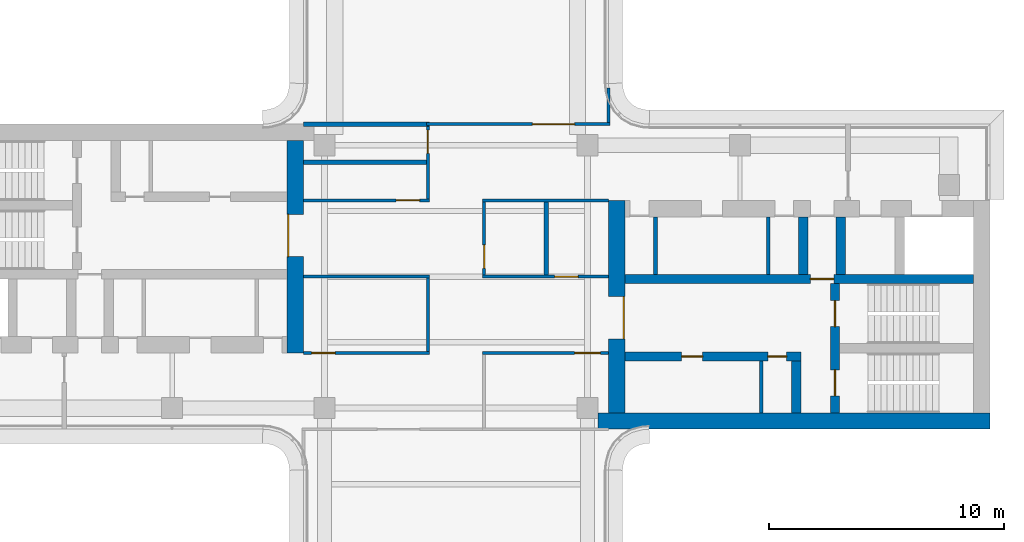
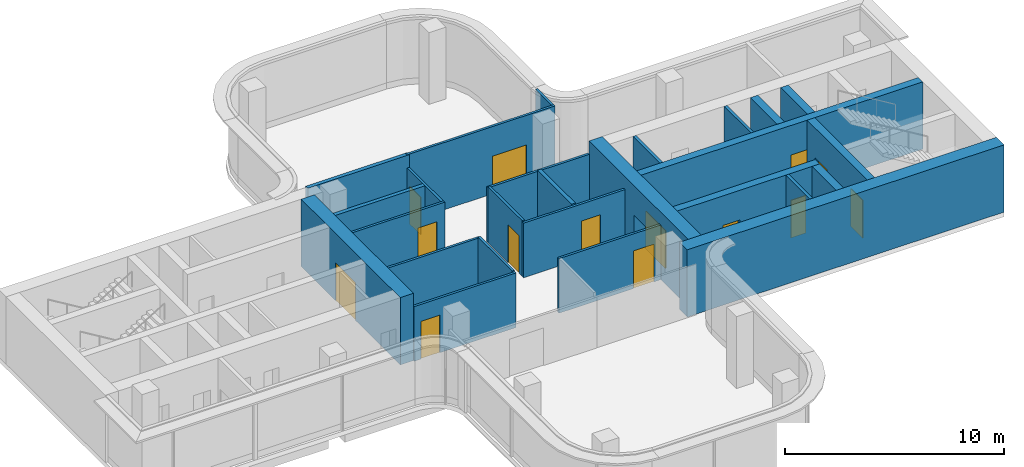
# One storey, part 9 of 11: 26 walls, 14 doors, 14 openings.
"""IFC4 building model written with IfcOpenShell, lengths in metres."""

from ifc_helpers import new_model, si_unit, direction, frame, frame_2d, origin, place, context, subcontext, project, spatial, rectangle, extrude, source, transform, mapped, material, layer, layer_set, type_object, element, fill, save


model = new_model("IFC4")

# Units and contexts
model_context = context("Model", 3, precision=1e-05, world=origin(), true_north=direction((0.0, 1.0)))
body_context = subcontext(model_context, "Body", "Model", "MODEL_VIEW")
ifc_project = project(units=[si_unit("LENGTHUNIT", "METRE"), si_unit("AREAUNIT", "SQUARE_METRE"), si_unit("VOLUMEUNIT", "CUBIC_METRE"), si_unit("PLANEANGLEUNIT", "RADIAN"), si_unit("MASSUNIT", "GRAM", prefix="KILO")], contexts=[model_context])

# Site, building, storey
site_placement = place(None, origin())
site = spatial("IfcSite", under=ifc_project, at=site_placement, CompositionType="ELEMENT")
building_placement = place(site_placement, origin())
building = spatial("IfcBuilding", under=site, at=building_placement, Name="Trellis Farm Tower", CompositionType="ELEMENT")
storey_placement = place(building_placement, frame((0.0, 0.0, 342.10009765625)))
storey = spatial("IfcBuildingStorey", under=building, at=storey_placement, Name="L77", CompositionType="ELEMENT", Elevation=342.10009765625)

# Wall, opening, door
ifc_material_1 = material(Name="Concrete C50/60", Category="concrete")
ifc_layer_1 = layer(ifc_material_1, 0.699951171875)
ifc_layer_set_1 = layer_set([ifc_layer_1], Name="CORE OUTER WALL 700 CONCRETE C50/60")
wall_type_1 = type_object("IfcWallType", Name="CORE OUTER WALL 700 CONCRETE C50/60", PredefinedType="SHEAR", material=ifc_layer_set_1)
shared_shape_1 = source(origin(), body_context, "Body", "SweptSolid", [
    extrude(rectangle(XDim=9.050048828125, YDim=0.699951171875, at=frame_2d((4.52490234375, 0.0))), origin(), (0.0, 0.0, 1.0), 3.75),
])
wall_1_placement = place(storey_placement, frame((6.85009765625, -5.800048828125, 0.0), z_axis=(0.0, 0.0, 1.0), x_axis=(0.0, 1.0, 0.0)))
wall_1 = element("IfcWall", 1, at=wall_1_placement, inside=storey, type_object=wall_type_1, Name="Core wall", PredefinedType="SHEAR", context=body_context, shape_type="MappedRepresentation", body=[
    mapped(shared_shape_1, transform((0.0, 0.0, 0.0))),
])
shared_shape_2 = source(origin(), body_context, "Body", "SweptSolid", [
    extrude(rectangle(XDim=1.800048828125, YDim=2.10009765625, at=frame_2d((0.89990234375, 1.050048828125))), frame((0.0, 0.360107421875, 0.0), z_axis=(0.0, -1.0, 0.0), x_axis=(1.0, 0.0, 0.0)), (0.0, 0.0, 1.0), 0.72021484375),
])
opening_1_placement = place(wall_1_placement, frame((3.14990234375, 0.0, 0.0)))
opening_1 = element("IfcOpeningElement", 2, at=opening_1_placement, cuts=wall_1, Name="Opening DC1", PredefinedType="OPENING", context=body_context, shape_type="MappedRepresentation", body=[
    mapped(shared_shape_2, transform((0.0, 0.0, 0.0))),
])
ifc_material_2 = material(Name="Steel", Category="steel")
door_type_1 = type_object("IfcDoorType", Name="CORE FIRE DOOR DOUBLE 1800 X 2100", OperationType="DOUBLE_DOOR_SINGLE_SWING", PredefinedType="DOOR", material=ifc_material_2)
shared_shape_3 = source(origin(), body_context, "Body", "SweptSolid", [
    extrude(rectangle(XDim=1.800048828125, YDim=2.10009765625, at=frame_2d((0.89990234375, 1.050048828125))), frame((0.0, -0.27490234375, 0.0), z_axis=(0.0, -1.0, 0.0), x_axis=(1.0, 0.0, 0.0)), (0.0, 0.0, 1.0), 0.050048828125),
])
door_1_placement = place(opening_1_placement, origin())
door_1 = element("IfcDoor", 3, at=door_1_placement, inside=storey, type_object=door_type_1, Name="Core door", OperationType="DOUBLE_DOOR_SINGLE_SWING", OverallHeight=2.10009765625, OverallWidth=1.800048828125, PredefinedType="DOOR", context=body_context, shape_type="MappedRepresentation", body=[
    mapped(shared_shape_3, transform((0.0, 0.0, 0.0))),
])
fill(opening_1, door_1)

wall_2_placement = place(storey_placement, frame((-6.85009765625, 5.800048828125, 0.0), z_axis=(0.0, 0.0, 1.0), x_axis=(0.0, -1.0, 0.0)))
wall_2 = element("IfcWall", 4, at=wall_2_placement, inside=storey, type_object=wall_type_1, Name="Core wall", PredefinedType="SHEAR", context=body_context, shape_type="MappedRepresentation", body=[
    mapped(shared_shape_1, transform((0.0, 0.0, 0.0))),
])
opening_2_placement = place(wall_2_placement, frame((3.14990234375, 0.0, 0.0)))
opening_2 = element("IfcOpeningElement", 5, at=opening_2_placement, cuts=wall_2, Name="Opening DC87", PredefinedType="OPENING", context=body_context, shape_type="MappedRepresentation", body=[
    mapped(shared_shape_2, transform((0.0, 0.0, 0.0))),
])
door_2_placement = place(opening_2_placement, origin())
door_2 = element("IfcDoor", 6, at=door_2_placement, inside=storey, type_object=door_type_1, Name="Core door", OperationType="DOUBLE_DOOR_SINGLE_SWING", OverallHeight=2.10009765625, OverallWidth=1.800048828125, PredefinedType="DOOR", context=body_context, shape_type="MappedRepresentation", body=[
    mapped(shared_shape_3, transform((0.0, 0.0, 0.0))),
])
fill(opening_2, door_2)

# Walls
ifc_layer_2 = layer(ifc_material_1, 0.39990234375)
ifc_layer_set_2 = layer_set([ifc_layer_2], Name="CORE INNER WALL 400 CONCRETE C50/60")
wall_type_2 = type_object("IfcWallType", Name="CORE INNER WALL 400 CONCRETE C50/60", PredefinedType="SHEAR", material=ifc_layer_set_2)
shared_shape_4 = source(origin(), body_context, "Body", "SweptSolid", [
    extrude(rectangle(XDim=2.449951171875, YDim=0.39990234375, at=frame_2d((1.22509765625, 0.0))), origin(), (0.0, 0.0, 1.0), 3.75),
])
for number, where, z_axis, x_axis, name in (
    (7, (14.800048828125, 0.10009765625, 0.0), (0.0, 0.0, 1.0), (0.0, 1.0, 0.0), "Core wall"),
    (8, (16.39990234375, 0.10009765625, 0.0), (0.0, 0.0, 1.0), (0.0, 1.0, 0.0), "Core wall"),
):
    element("IfcWall", number, at=place(storey_placement, frame(where, z_axis=z_axis, x_axis=x_axis)), inside=storey, type_object=wall_type_2, Name=name, PredefinedType="SHEAR", context=body_context, shape_type="MappedRepresentation", body=[
        mapped(shared_shape_4, transform((0.0, 0.0, 0.0))),
    ])
ifc_material_3 = material(Name="Masonry blockwork", Category="masonry")
ifc_layer_3 = layer(ifc_material_3, 0.14990234375)
ifc_layer_set_3 = layer_set([ifc_layer_3], Name="CORE PARTITION 150 BLOCKWORK")
wall_type_3 = type_object("IfcWallType", Name="CORE PARTITION 150 BLOCKWORK", PredefinedType="PARTITIONING", material=ifc_layer_set_3)
shared_shape_5 = source(origin(), body_context, "Body", "SweptSolid", [
    extrude(rectangle(XDim=2.449951171875, YDim=0.14990234375, at=frame_2d((1.22509765625, 0.0))), origin(), (0.0, 0.0, 1.0), 3.75),
])
for number, where, z_axis, x_axis, name in (
    (9, (8.5, 0.10009765625, 0.0), (0.0, 0.0, 1.0), (0.0, 1.0, 0.0), "Core room partition"),
    (10, (13.300048828125, 0.10009765625, 0.0), (0.0, 0.0, 1.0), (0.0, 1.0, 0.0), "Core room partition"),
):
    element("IfcWall", number, at=place(storey_placement, frame(where, z_axis=z_axis, x_axis=x_axis)), inside=storey, type_object=wall_type_3, Name=name, PredefinedType="PARTITIONING", context=body_context, shape_type="MappedRepresentation", body=[
        mapped(shared_shape_5, transform((0.0, 0.0, 0.0))),
    ])
shared_shape_6 = source(origin(), body_context, "Body", "SweptSolid", [
    extrude(rectangle(XDim=16.699951171875, YDim=0.699951171875, at=frame_2d((8.35009765625, 0.0))), origin(), (0.0, 0.0, 1.0), 3.75),
])
wall_3_placement = place(storey_placement, frame((6.050048828125, -6.14990234375, 0.0), z_axis=(0.0, 0.0, 1.0), x_axis=(1.0, 0.0, 0.0)))
element("IfcWall", 11, at=wall_3_placement, inside=storey, type_object=wall_type_1, Name="Core wall", PredefinedType="SHEAR", context=body_context, shape_type="MappedRepresentation", body=[
    mapped(shared_shape_6, transform((0.0, 0.0, 0.0))),
])

# Wall, openings, doors
shared_shape_7 = source(origin(), body_context, "Body", "SweptSolid", [
    extrude(rectangle(XDim=7.5, YDim=0.39990234375, at=frame_2d((3.75, 0.0))), origin(), (0.0, 0.0, 1.0), 3.75),
])
wall_4_placement = place(storey_placement, frame((7.199951171875, -3.39990234375, 0.0), z_axis=(0.0, 0.0, 1.0), x_axis=(1.0, 0.0, 0.0)))
wall_4 = element("IfcWall", 12, at=wall_4_placement, inside=storey, type_object=wall_type_2, Name="Core wall", PredefinedType="SHEAR", context=body_context, shape_type="MappedRepresentation", body=[
    mapped(shared_shape_7, transform((0.0, 0.0, 0.0))),
])
shared_shape_8 = source(origin(), body_context, "Body", "SweptSolid", [
    extrude(rectangle(XDim=0.89990234375, YDim=2.10009765625, at=frame_2d((0.449951171875, 1.050048828125))), frame((0.0, 0.2099609375, 0.0), z_axis=(0.0, -1.0, 0.0), x_axis=(1.0, 0.0, 0.0)), (0.0, 0.0, 1.0), 0.419921875),
])
opening_3_placement = place(wall_4_placement, frame((2.41259765625, 0.0, 0.0)))
opening_3 = element("IfcOpeningElement", 13, at=opening_3_placement, cuts=wall_4, Name="Opening DC53", PredefinedType="OPENING", context=body_context, shape_type="MappedRepresentation", body=[
    mapped(shared_shape_8, transform((0.0, 0.0, 0.0))),
])
shared_shape_9 = source(origin(), body_context, "Body", "SweptSolid", [
    extrude(rectangle(XDim=0.800048828125, YDim=2.10009765625, at=frame_2d((0.39990234375, 1.050048828125))), frame((0.0, 0.2099609375, 0.0), z_axis=(0.0, -1.0, 0.0), x_axis=(1.0, 0.0, 0.0)), (0.0, 0.0, 1.0), 0.419921875),
])
opening_4_placement = place(wall_4_placement, frame((6.08740234375, 0.0, 0.0)))
opening_4 = element("IfcOpeningElement", 14, at=opening_4_placement, cuts=wall_4, Name="Opening DC58", PredefinedType="OPENING", context=body_context, shape_type="MappedRepresentation", body=[
    mapped(shared_shape_9, transform((0.0, 0.0, 0.0))),
])
door_type_2 = type_object("IfcDoorType", Name="CORE FIRE DOOR 900 X 2100", OperationType="NOTDEFINED", PredefinedType="DOOR", material=ifc_material_2)
shared_shape_10 = source(origin(), body_context, "Body", "SweptSolid", [
    extrude(rectangle(XDim=0.89990234375, YDim=2.10009765625, at=frame_2d((0.449951171875, 1.050048828125))), frame((0.0, 0.02490234375, 0.0), z_axis=(0.0, -1.0, 0.0), x_axis=(1.0, 0.0, 0.0)), (0.0, 0.0, 1.0), 0.050048828125),
])
door_3_placement = place(opening_3_placement, origin())
door_3 = element("IfcDoor", 15, at=door_3_placement, inside=storey, type_object=door_type_2, Name="Core door", OperationType="SINGLE_SWING_LEFT", OverallHeight=2.10009765625, OverallWidth=0.89990234375, PredefinedType="DOOR", context=body_context, shape_type="MappedRepresentation", body=[
    mapped(shared_shape_10, transform((0.0, 0.0, 0.0))),
])
fill(opening_3, door_3)
door_type_3 = type_object("IfcDoorType", Name="CORE FIRE DOOR 800 X 2100", OperationType="NOTDEFINED", PredefinedType="DOOR", material=ifc_material_2)
shared_shape_11 = source(origin(), body_context, "Body", "SweptSolid", [
    extrude(rectangle(XDim=0.800048828125, YDim=2.10009765625, at=frame_2d((0.39990234375, 1.050048828125))), frame((0.0, 0.02490234375, 0.0), z_axis=(0.0, -1.0, 0.0), x_axis=(1.0, 0.0, 0.0)), (0.0, 0.0, 1.0), 0.050048828125),
])
door_4_placement = place(opening_4_placement, origin())
door_4 = element("IfcDoor", 16, at=door_4_placement, inside=storey, type_object=door_type_3, Name="Core door", OperationType="SINGLE_SWING_RIGHT", OverallHeight=2.10009765625, OverallWidth=0.800048828125, PredefinedType="DOOR", context=body_context, shape_type="MappedRepresentation", body=[
    mapped(shared_shape_11, transform((0.0, 0.0, 0.0))),
])
fill(opening_4, door_4)

# Wall, opening, door
shared_shape_12 = source(origin(), body_context, "Body", "SweptSolid", [
    extrude(rectangle(XDim=14.85009765625, YDim=0.39990234375, at=frame_2d((7.425048828125, 0.0))), origin(), (0.0, 0.0, 1.0), 3.75),
])
wall_5_placement = place(storey_placement, frame((7.199951171875, -0.10009765625, 0.0), z_axis=(0.0, 0.0, 1.0), x_axis=(1.0, 0.0, 0.0)))
wall_5 = element("IfcWall", 17, at=wall_5_placement, inside=storey, type_object=wall_type_2, Name="Core wall", PredefinedType="SHEAR", context=body_context, shape_type="MappedRepresentation", body=[
    mapped(shared_shape_12, transform((0.0, 0.0, 0.0))),
])
shared_shape_13 = source(origin(), body_context, "Body", "SweptSolid", [
    extrude(rectangle(XDim=1.0, YDim=2.10009765625, at=frame_2d((0.5, 1.050048828125))), frame((0.0, 0.2099609375, 0.0), z_axis=(0.0, -1.0, 0.0), x_axis=(1.0, 0.0, 0.0)), (0.0, 0.0, 1.0), 0.419921875),
])
opening_5_placement = place(wall_5_placement, frame((7.89990234375, 0.0, 0.0)))
opening_5 = element("IfcOpeningElement", 18, at=opening_5_placement, cuts=wall_5, Name="Opening DC5", PredefinedType="OPENING", context=body_context, shape_type="MappedRepresentation", body=[
    mapped(shared_shape_13, transform((0.0, 0.0, 0.0))),
])
door_type_4 = type_object("IfcDoorType", Name="CORE FIRE DOOR 1000 X 2100", OperationType="NOTDEFINED", PredefinedType="DOOR", material=ifc_material_2)
shared_shape_14 = source(origin(), body_context, "Body", "SweptSolid", [
    extrude(rectangle(XDim=1.0, YDim=2.10009765625, at=frame_2d((0.5, 1.050048828125))), frame((0.0, 0.02490234375, 0.0), z_axis=(0.0, -1.0, 0.0), x_axis=(1.0, 0.0, 0.0)), (0.0, 0.0, 1.0), 0.050048828125),
])
door_5_placement = place(opening_5_placement, origin())
door_5 = element("IfcDoor", 19, at=door_5_placement, inside=storey, type_object=door_type_4, Name="Core door", OperationType="SINGLE_SWING_RIGHT", OverallHeight=2.10009765625, OverallWidth=1.0, PredefinedType="DOOR", context=body_context, shape_type="MappedRepresentation", body=[
    mapped(shared_shape_14, transform((0.0, 0.0, 0.0))),
])
fill(opening_5, door_5)

# Wall, openings, doors
shared_shape_15 = source(origin(), body_context, "Body", "SweptSolid", [
    extrude(rectangle(XDim=5.5, YDim=0.39990234375, at=frame_2d((2.75, 0.0))), origin(), (0.0, 0.0, 1.0), 3.75),
])
wall_6_placement = place(storey_placement, frame((16.14990234375, -5.800048828125, 0.0), z_axis=(0.0, 0.0, 1.0), x_axis=(0.0, 1.0, 0.0)))
wall_6 = element("IfcWall", 20, at=wall_6_placement, inside=storey, type_object=wall_type_2, Name="Core wall", PredefinedType="SHEAR", context=body_context, shape_type="MappedRepresentation", body=[
    mapped(shared_shape_15, transform((0.0, 0.0, 0.0))),
])
shared_shape_16 = source(origin(), body_context, "Body", "SweptSolid", [
    extrude(rectangle(XDim=1.10009765625, YDim=2.10009765625, at=frame_2d((0.550048828125, 1.050048828125))), frame((0.0, 0.2099609375, 0.0), z_axis=(0.0, -1.0, 0.0), x_axis=(1.0, 0.0, 0.0)), (0.0, 0.0, 1.0), 0.419921875),
])
opening_6_placement = place(wall_6_placement, frame((0.72509765625, 0.0, 0.0)))
opening_6 = element("IfcOpeningElement", 21, at=opening_6_placement, cuts=wall_6, Name="Opening DC2", PredefinedType="OPENING", context=body_context, shape_type="MappedRepresentation", body=[
    mapped(shared_shape_16, transform((0.0, 0.0, 0.0))),
])
opening_7_placement = place(wall_6_placement, frame((3.675048828125, 0.0, 0.0)))
opening_7 = element("IfcOpeningElement", 22, at=opening_7_placement, cuts=wall_6, Name="Opening DC3", PredefinedType="OPENING", context=body_context, shape_type="MappedRepresentation", body=[
    mapped(shared_shape_16, transform((0.0, 0.0, 0.0))),
])
door_type_5 = type_object("IfcDoorType", Name="CORE FIRE DOOR 1100 X 2100", OperationType="NOTDEFINED", PredefinedType="DOOR", material=ifc_material_2)
shared_shape_17 = source(origin(), body_context, "Body", "SweptSolid", [
    extrude(rectangle(XDim=1.10009765625, YDim=2.10009765625, at=frame_2d((0.550048828125, 1.050048828125))), frame((0.0, 0.02490234375, 0.0), z_axis=(0.0, -1.0, 0.0), x_axis=(1.0, 0.0, 0.0)), (0.0, 0.0, 1.0), 0.050048828125),
])
door_6_placement = place(opening_6_placement, origin())
door_6 = element("IfcDoor", 23, at=door_6_placement, inside=storey, type_object=door_type_5, Name="Core door", OperationType="SINGLE_SWING_RIGHT", OverallHeight=2.10009765625, OverallWidth=1.10009765625, PredefinedType="DOOR", context=body_context, shape_type="MappedRepresentation", body=[
    mapped(shared_shape_17, transform((0.0, 0.0, 0.0))),
])
fill(opening_6, door_6)
door_7_placement = place(opening_7_placement, origin())
door_7 = element("IfcDoor", 24, at=door_7_placement, inside=storey, type_object=door_type_5, Name="Core door", OperationType="SINGLE_SWING_LEFT", OverallHeight=2.10009765625, OverallWidth=1.10009765625, PredefinedType="DOOR", context=body_context, shape_type="MappedRepresentation", body=[
    mapped(shared_shape_17, transform((0.0, 0.0, 0.0))),
])
fill(opening_7, door_7)

# Walls
shared_shape_18 = source(origin(), body_context, "Body", "SweptSolid", [
    extrude(rectangle(XDim=2.199951171875, YDim=0.39990234375, at=frame_2d((1.10009765625, 0.0))), origin(), (0.0, 0.0, 1.0), 3.75),
])
wall_7_placement = place(storey_placement, frame((14.5, -5.800048828125, 0.0), z_axis=(0.0, 0.0, 1.0), x_axis=(0.0, 1.0, 0.0)))
element("IfcWall", 25, at=wall_7_placement, inside=storey, type_object=wall_type_2, Name="Core wall", PredefinedType="SHEAR", context=body_context, shape_type="MappedRepresentation", body=[
    mapped(shared_shape_18, transform((0.0, 0.0, 0.0))),
])
shared_shape_19 = source(origin(), body_context, "Body", "SweptSolid", [
    extrude(rectangle(XDim=2.199951171875, YDim=0.14990234375, at=frame_2d((1.10009765625, 0.0))), origin(), (0.0, 0.0, 1.0), 3.75),
])
wall_8_placement = place(storey_placement, frame((13.0, -5.800048828125, 0.0), z_axis=(0.0, 0.0, 1.0), x_axis=(0.0, 1.0, 0.0)))
element("IfcWall", 26, at=wall_8_placement, inside=storey, type_object=wall_type_3, Name="Core room partition", PredefinedType="PARTITIONING", context=body_context, shape_type="MappedRepresentation", body=[
    mapped(shared_shape_19, transform((0.0, 0.0, 0.0))),
])
ifc_material_4 = material(Name="Plasterboard on steel studs, mineral wool", Category="steel")
ifc_layer_4 = layer(ifc_material_4, 0.125)
ifc_layer_set_4 = layer_set([ifc_layer_4], Name="PARTITION 125 STUD EI 60")
wall_type_4 = type_object("IfcWallType", Name="PARTITION 125 STUD EI 60", PredefinedType="PARTITIONING", material=ifc_layer_set_4)
shared_shape_20 = source(origin(), body_context, "Body", "SweptSolid", [
    extrude(rectangle(XDim=3.125, YDim=0.125, at=frame_2d((1.5625, 0.0))), origin(), (0.0, 0.0, 1.0), 3.11767578125),
])
wall_9_placement = place(storey_placement, frame((-1.199951171875, -0.0625, 0.0), z_axis=(0.0, 0.0, 1.0), x_axis=(0.0, -1.0, 0.0)))
element("IfcWall", 27, at=wall_9_placement, inside=storey, type_object=wall_type_4, Name="Partition PW1", PredefinedType="PARTITIONING", context=body_context, shape_type="MappedRepresentation", body=[
    mapped(shared_shape_20, transform((0.0, 0.0, 0.0))),
])

# Wall, opening, door
wall_10_placement = place(storey_placement, frame((1.199951171875, 3.1875, 0.0), z_axis=(0.0, 0.0, 1.0), x_axis=(0.0, -1.0, 0.0)))
wall_10 = element("IfcWall", 28, at=wall_10_placement, inside=storey, type_object=wall_type_4, Name="Partition PW1", PredefinedType="PARTITIONING", context=body_context, shape_type="MappedRepresentation", body=[
    mapped(shared_shape_20, transform((0.0, 0.0, 0.0))),
])
shared_shape_21 = source(origin(), body_context, "Body", "SweptSolid", [
    extrude(rectangle(XDim=1.0, YDim=2.10009765625, at=frame_2d((0.5, 1.050048828125))), frame((0.0, 0.072509765625, 0.0), z_axis=(0.0, -1.0, 0.0), x_axis=(1.0, 0.0, 0.0)), (0.0, 0.0, 1.0), 0.14501953125),
])
opening_8_placement = place(wall_10_placement, frame((1.83740234375, 0.0, 0.0)))
opening_8 = element("IfcOpeningElement", 29, at=opening_8_placement, cuts=wall_10, Name="Opening D103", PredefinedType="OPENING", context=body_context, shape_type="MappedRepresentation", body=[
    mapped(shared_shape_21, transform((0.0, 0.0, 0.0))),
])
ifc_material_5 = material(Name="Fire-rated timber door leaf in a hollow metal frame", Category="wood")
door_type_6 = type_object("IfcDoorType", Name="DOOR 1000x2100 FD30S", OperationType="NOTDEFINED", PredefinedType="DOOR", material=ifc_material_5)
door_8_placement = place(opening_8_placement, origin())
door_8 = element("IfcDoor", 30, at=door_8_placement, inside=storey, type_object=door_type_6, Name="Door D103", OperationType="SINGLE_SWING_RIGHT", OverallHeight=2.10009765625, OverallWidth=1.0, PredefinedType="DOOR", context=body_context, shape_type="MappedRepresentation", body=[
    mapped(shared_shape_14, transform((0.0, 0.0, 0.0))),
])
fill(opening_8, door_8)

# Wall
shared_shape_22 = source(origin(), body_context, "Body", "SweptSolid", [
    extrude(rectangle(XDim=1.468994140625, YDim=0.125, at=frame_2d((0.734375, 0.0))), origin(), (0.0, 0.0, 1.0), 3.75),
])
wall_11_placement = place(storey_placement, frame((6.5, 6.5625, 0.0), z_axis=(0.0, 0.0, 1.0), x_axis=(0.0, 1.0, 0.0)))
element("IfcWall", 31, at=wall_11_placement, inside=storey, type_object=wall_type_4, Name="Partition PW1", PredefinedType="PARTITIONING", context=body_context, shape_type="MappedRepresentation", body=[
    mapped(shared_shape_22, transform((0.0, 0.0, 0.0))),
])

# Wall, opening, door
shared_shape_23 = source(origin(), body_context, "Body", "SweptSolid", [
    extrude(rectangle(XDim=5.362548828125, YDim=0.125, at=frame_2d((2.68115234375, 0.0))), origin(), (0.0, 0.0, 1.0), 3.04638671875),
])
wall_12_placement = place(storey_placement, frame((-1.137451171875, -3.25, 0.0), z_axis=(0.0, 0.0, 1.0), x_axis=(-1.0, 0.0, 0.0)))
wall_12 = element("IfcWall", 32, at=wall_12_placement, inside=storey, type_object=wall_type_4, Name="Partition PW1", PredefinedType="PARTITIONING", context=body_context, shape_type="MappedRepresentation", body=[
    mapped(shared_shape_23, transform((0.0, 0.0, 0.0))),
])
opening_9_placement = place(wall_12_placement, frame((4.012451171875, 0.0, 0.0)))
opening_9 = element("IfcOpeningElement", 33, at=opening_9_placement, cuts=wall_12, Name="Opening D101", PredefinedType="OPENING", context=body_context, shape_type="MappedRepresentation", body=[
    mapped(shared_shape_21, transform((0.0, 0.0, 0.0))),
])
door_9_placement = place(opening_9_placement, origin())
door_9 = element("IfcDoor", 34, at=door_9_placement, inside=storey, type_object=door_type_6, Name="Door D101", OperationType="SINGLE_SWING_RIGHT", OverallHeight=2.10009765625, OverallWidth=1.0, PredefinedType="DOOR", context=body_context, shape_type="MappedRepresentation", body=[
    mapped(shared_shape_14, transform((0.0, 0.0, 0.0))),
])
fill(opening_9, door_9)

wall_13_placement = place(storey_placement, frame((6.5, -3.25, 0.0), z_axis=(0.0, 0.0, 1.0), x_axis=(-1.0, 0.0, 0.0)))
wall_13 = element("IfcWall", 35, at=wall_13_placement, inside=storey, type_object=wall_type_4, Name="Partition PW1", PredefinedType="PARTITIONING", context=body_context, shape_type="MappedRepresentation", body=[
    mapped(shared_shape_23, transform((0.0, 0.0, 0.0))),
])
shared_shape_24 = source(origin(), body_context, "Body", "SweptSolid", [
    extrude(rectangle(XDim=1.10009765625, YDim=2.10009765625, at=frame_2d((0.550048828125, 1.050048828125))), frame((0.0, 0.072509765625, 0.0), z_axis=(0.0, -1.0, 0.0), x_axis=(1.0, 0.0, 0.0)), (0.0, 0.0, 1.0), 0.14501953125),
])
opening_10_placement = place(wall_13_placement, frame((0.35009765625, 0.0, 0.0)))
opening_10 = element("IfcOpeningElement", 36, at=opening_10_placement, cuts=wall_13, Name="Opening D501", PredefinedType="OPENING", context=body_context, shape_type="MappedRepresentation", body=[
    mapped(shared_shape_24, transform((0.0, 0.0, 0.0))),
])
door_type_7 = type_object("IfcDoorType", Name="DOOR 1100x2100 FD30S", OperationType="NOTDEFINED", PredefinedType="DOOR", material=ifc_material_5)
door_10_placement = place(opening_10_placement, origin())
door_10 = element("IfcDoor", 37, at=door_10_placement, inside=storey, type_object=door_type_7, Name="Door D501", OperationType="SINGLE_SWING_LEFT", OverallHeight=2.10009765625, OverallWidth=1.10009765625, PredefinedType="DOOR", context=body_context, shape_type="MappedRepresentation", body=[
    mapped(shared_shape_17, transform((0.0, 0.0, 0.0))),
])
fill(opening_10, door_10)

# Wall
wall_14_placement = place(storey_placement, frame((-1.137451171875, 0.0, 0.0), z_axis=(0.0, 0.0, 1.0), x_axis=(-1.0, 0.0, 0.0)))
element("IfcWall", 38, at=wall_14_placement, inside=storey, type_object=wall_type_4, Name="Partition PW1", PredefinedType="PARTITIONING", context=body_context, shape_type="MappedRepresentation", body=[
    mapped(shared_shape_23, transform((0.0, 0.0, 0.0))),
])

# Wall, opening, door
wall_15_placement = place(storey_placement, frame((6.5, 0.0, 0.0), z_axis=(0.0, 0.0, 1.0), x_axis=(-1.0, 0.0, 0.0)))
wall_15 = element("IfcWall", 39, at=wall_15_placement, inside=storey, type_object=wall_type_4, Name="Partition PW1", PredefinedType="PARTITIONING", context=body_context, shape_type="MappedRepresentation", body=[
    mapped(shared_shape_23, transform((0.0, 0.0, 0.0))),
])
opening_11_placement = place(wall_15_placement, frame((1.300048828125, 0.0, 0.0)))
opening_11 = element("IfcOpeningElement", 40, at=opening_11_placement, cuts=wall_15, Name="Opening D102", PredefinedType="OPENING", context=body_context, shape_type="MappedRepresentation", body=[
    mapped(shared_shape_21, transform((0.0, 0.0, 0.0))),
])
door_11_placement = place(opening_11_placement, origin())
door_11 = element("IfcDoor", 41, at=door_11_placement, inside=storey, type_object=door_type_6, Name="Door D102", OperationType="SINGLE_SWING_RIGHT", OverallHeight=2.10009765625, OverallWidth=1.0, PredefinedType="DOOR", context=body_context, shape_type="MappedRepresentation", body=[
    mapped(shared_shape_14, transform((0.0, 0.0, 0.0))),
])
fill(opening_11, door_11)

wall_16_placement = place(storey_placement, frame((-6.5, 3.25, 0.0), z_axis=(0.0, 0.0, 1.0), x_axis=(1.0, 0.0, 0.0)))
wall_16 = element("IfcWall", 42, at=wall_16_placement, inside=storey, type_object=wall_type_4, Name="Partition PW1", PredefinedType="PARTITIONING", context=body_context, shape_type="MappedRepresentation", body=[
    mapped(shared_shape_23, transform((0.0, 0.0, 0.0))),
])
opening_12_placement = place(wall_16_placement, frame((3.949951171875, 0.0, 0.0)))
opening_12 = element("IfcOpeningElement", 43, at=opening_12_placement, cuts=wall_16, Name="Opening D301", PredefinedType="OPENING", context=body_context, shape_type="MappedRepresentation", body=[
    mapped(shared_shape_21, transform((0.0, 0.0, 0.0))),
])
door_type_8 = type_object("IfcDoorType", Name="DOOR 1000x2100 FD60", OperationType="NOTDEFINED", PredefinedType="DOOR", material=ifc_material_5)
door_12_placement = place(opening_12_placement, origin())
door_12 = element("IfcDoor", 44, at=door_12_placement, inside=storey, type_object=door_type_8, Name="Door D301", OperationType="SINGLE_SWING_RIGHT", OverallHeight=2.10009765625, OverallWidth=1.0, PredefinedType="DOOR", context=body_context, shape_type="MappedRepresentation", body=[
    mapped(shared_shape_14, transform((0.0, 0.0, 0.0))),
])
fill(opening_12, door_12)

# Walls
wall_17_placement = place(storey_placement, frame((1.137451171875, 3.25, 0.0), z_axis=(0.0, 0.0, 1.0), x_axis=(1.0, 0.0, 0.0)))
element("IfcWall", 45, at=wall_17_placement, inside=storey, type_object=wall_type_4, Name="Partition PW1", PredefinedType="PARTITIONING", context=body_context, shape_type="MappedRepresentation", body=[
    mapped(shared_shape_23, transform((0.0, 0.0, 0.0))),
])
ifc_material_6 = material(Name="Lightweight blockwork, plastered", Category="masonry")
ifc_layer_5 = layer(ifc_material_6, 0.199951171875)
ifc_layer_set_5 = layer_set([ifc_layer_5], Name="BLOCK WALL 200 EI 120")
wall_type_5 = type_object("IfcWallType", Name="BLOCK WALL 200 EI 120", PredefinedType="PARTITIONING", material=ifc_layer_set_5)
shared_shape_25 = source(origin(), body_context, "Body", "SweptSolid", [
    extrude(rectangle(XDim=3.125, YDim=0.199951171875, at=frame_2d((1.5625, 0.0))), origin(), (0.0, 0.0, 1.0), 3.11767578125),
])
wall_18_placement = place(storey_placement, frame((3.85009765625, 0.0625, 0.0), z_axis=(0.0, 0.0, 1.0), x_axis=(0.0, 1.0, 0.0)))
element("IfcWall", 46, at=wall_18_placement, inside=storey, type_object=wall_type_5, Name="Partition PW3", PredefinedType="PARTITIONING", context=body_context, shape_type="MappedRepresentation", body=[
    mapped(shared_shape_25, transform((0.0, 0.0, 0.0))),
])

# Wall, opening, door
shared_shape_26 = source(origin(), body_context, "Body", "SweptSolid", [
    extrude(rectangle(XDim=3.08740234375, YDim=0.125, at=frame_2d((1.543701171875, 0.0))), origin(), (0.0, 0.0, 1.0), 3.04638671875),
])
wall_19_placement = place(storey_placement, frame((-1.199951171875, 6.39990234375, 0.0), z_axis=(0.0, 0.0, 1.0), x_axis=(0.0, -1.0, 0.0)))
wall_19 = element("IfcWall", 47, at=wall_19_placement, inside=storey, type_object=wall_type_4, Name="Partition PW1", PredefinedType="PARTITIONING", context=body_context, shape_type="MappedRepresentation", body=[
    mapped(shared_shape_26, transform((0.0, 0.0, 0.0))),
])
opening_13_placement = place(wall_19_placement, frame((0.14990234375, 0.0, 0.0)))
opening_13 = element("IfcOpeningElement", 48, at=opening_13_placement, cuts=wall_19, Name="Opening D302", PredefinedType="OPENING", context=body_context, shape_type="MappedRepresentation", body=[
    mapped(shared_shape_21, transform((0.0, 0.0, 0.0))),
])
door_13_placement = place(opening_13_placement, origin())
door_13 = element("IfcDoor", 49, at=door_13_placement, inside=storey, type_object=door_type_8, Name="Door D302", OperationType="SINGLE_SWING_LEFT", OverallHeight=2.10009765625, OverallWidth=1.0, PredefinedType="DOOR", context=body_context, shape_type="MappedRepresentation", body=[
    mapped(shared_shape_14, transform((0.0, 0.0, 0.0))),
])
fill(opening_13, door_13)

# Wall
shared_shape_27 = source(origin(), body_context, "Body", "SweptSolid", [
    extrude(rectangle(XDim=5.362548828125, YDim=0.199951171875, at=frame_2d((2.68115234375, 0.0))), origin(), (0.0, 0.0, 1.0), 3.75),
])
wall_20_placement = place(storey_placement, frame((-6.5, 6.5, 0.0), z_axis=(0.0, 0.0, 1.0), x_axis=(1.0, 0.0, 0.0)))
element("IfcWall", 50, at=wall_20_placement, inside=storey, type_object=wall_type_5, Name="Partition PW3", PredefinedType="PARTITIONING", context=body_context, shape_type="MappedRepresentation", body=[
    mapped(shared_shape_27, transform((0.0, 0.0, 0.0))),
])

# Wall, opening, door
shared_shape_28 = source(origin(), body_context, "Body", "SweptSolid", [
    extrude(rectangle(XDim=7.824951171875, YDim=0.125, at=frame_2d((3.91259765625, 0.0))), origin(), (0.0, 0.0, 1.0), 3.75),
])
wall_21_placement = place(storey_placement, frame((-1.262451171875, 6.5, 0.0), z_axis=(0.0, 0.0, 1.0), x_axis=(1.0, 0.0, 0.0)))
wall_21 = element("IfcWall", 51, at=wall_21_placement, inside=storey, type_object=wall_type_4, Name="Partition PW1", PredefinedType="PARTITIONING", context=body_context, shape_type="MappedRepresentation", body=[
    mapped(shared_shape_28, transform((0.0, 0.0, 0.0))),
])
shared_shape_29 = source(origin(), body_context, "Body", "SweptSolid", [
    extrude(rectangle(XDim=1.800048828125, YDim=2.10009765625, at=frame_2d((0.89990234375, 1.050048828125))), frame((0.0, 0.072509765625, 0.0), z_axis=(0.0, -1.0, 0.0), x_axis=(1.0, 0.0, 0.0)), (0.0, 0.0, 1.0), 0.14501953125),
])
opening_14_placement = place(wall_21_placement, frame((4.512451171875, 0.0, 0.0)))
opening_14 = element("IfcOpeningElement", 52, at=opening_14_placement, cuts=wall_21, Name="Opening D202", PredefinedType="OPENING", context=body_context, shape_type="MappedRepresentation", body=[
    mapped(shared_shape_29, transform((0.0, 0.0, 0.0))),
])
door_type_9 = type_object("IfcDoorType", Name="DOOR PAIR 1800x2100 FD30S", OperationType="NOTDEFINED", PredefinedType="DOOR", material=ifc_material_5)
shared_shape_30 = source(origin(), body_context, "Body", "SweptSolid", [
    extrude(rectangle(XDim=1.800048828125, YDim=2.10009765625, at=frame_2d((0.89990234375, 1.050048828125))), frame((0.0, 0.02490234375, 0.0), z_axis=(0.0, -1.0, 0.0), x_axis=(1.0, 0.0, 0.0)), (0.0, 0.0, 1.0), 0.050048828125),
])
door_14_placement = place(opening_14_placement, origin())
door_14 = element("IfcDoor", 53, at=door_14_placement, inside=storey, type_object=door_type_9, Name="Door D202", OperationType="DOUBLE_DOOR_SINGLE_SWING", OverallHeight=2.10009765625, OverallWidth=1.800048828125, PredefinedType="DOOR", context=body_context, shape_type="MappedRepresentation", body=[
    mapped(shared_shape_30, transform((0.0, 0.0, 0.0))),
])
fill(opening_14, door_14)

# Wall
shared_shape_31 = source(origin(), body_context, "Body", "SweptSolid", [
    extrude(rectangle(XDim=5.237548828125, YDim=0.199951171875, at=frame_2d((2.61865234375, 0.0))), origin(), (0.0, 0.0, 1.0), 3.04638671875),
])
wall_22_placement = place(storey_placement, frame((-6.5, 4.875, 0.0), z_axis=(0.0, 0.0, 1.0), x_axis=(1.0, 0.0, 0.0)))
element("IfcWall", 54, at=wall_22_placement, inside=storey, type_object=wall_type_5, Name="Partition PW3", PredefinedType="PARTITIONING", context=body_context, shape_type="MappedRepresentation", body=[
    mapped(shared_shape_31, transform((0.0, 0.0, 0.0))),
])

save(model, "model.ifc")
